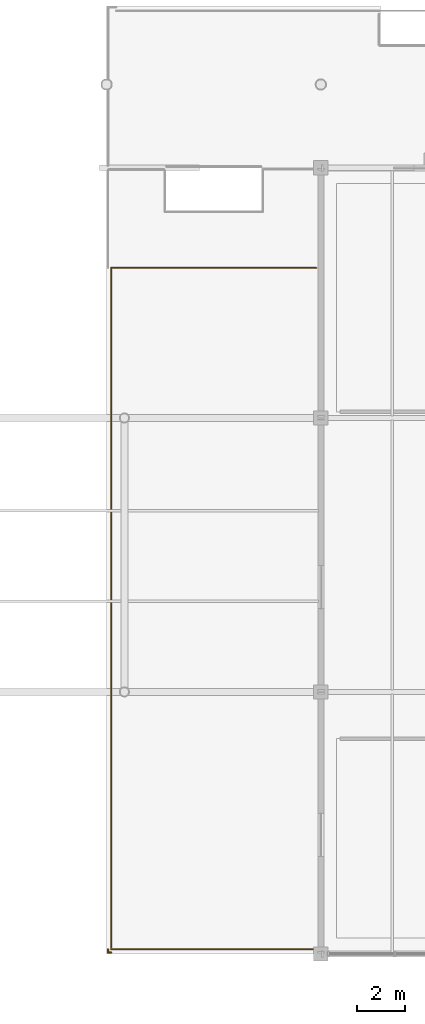
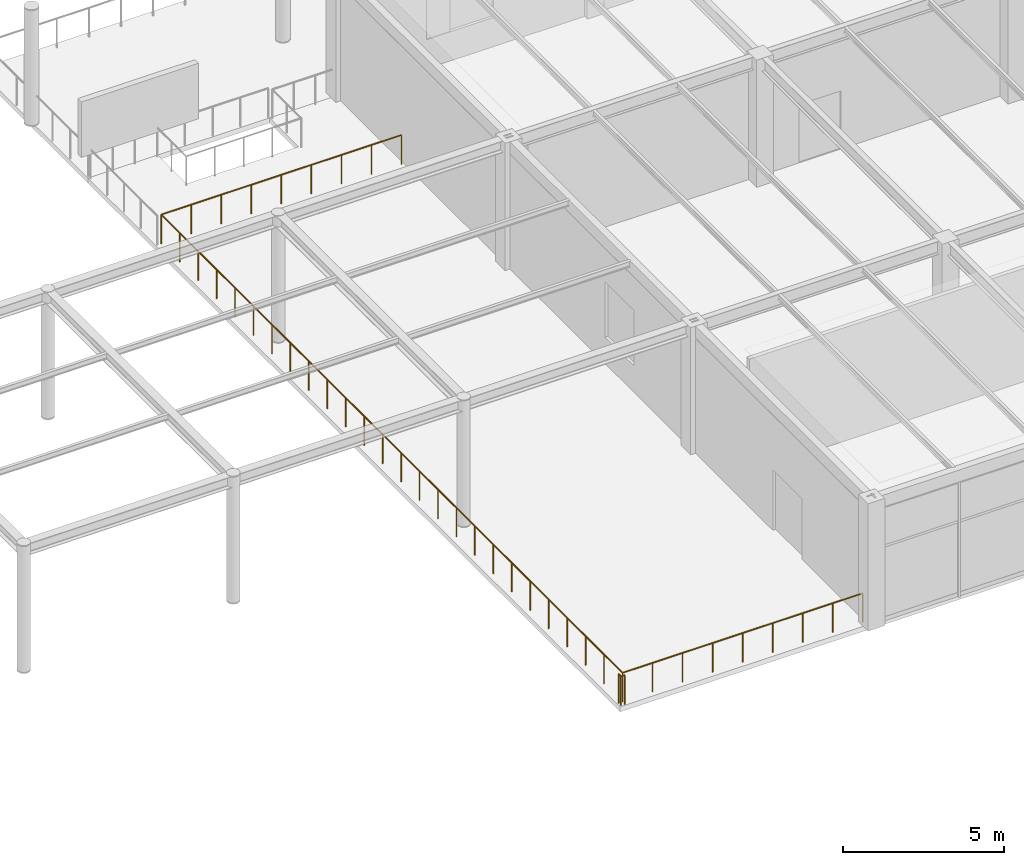
# One storey, part 132 of 143: 3 railings.
"""IFC4 building model written with IfcOpenShell, lengths in metres."""

import ifcopenshell
import ifcopenshell.guid

model = None  # the IFC model being written
_history = None  # IfcOwnerHistory: only IFC2X3 demands one
_inside = {}  # id of a spatial element -> (the spatial element, [elements in it])
_under = {}  # id of a project, library or spatial element -> (it, [spatial elements below it])
_declared = {}  # id of a project -> (the project, [libraries it declares])
_typed = {}  # id of a type object -> (the type object, [elements of that type])
_made_of = {}  # id of a material, layer set ... -> (it, [elements and type objects made of it])


def new_model(schema):
    """Start an empty IFC model of exactly this schema.

    Asked for "IFC4X3", IfcOpenShell would pick the latest addendum, in which some entities
    have other attributes; the version numbers below select the first issue.
    IFC2X3 requires an IfcOwnerHistory on every rooted entity: one is made here for all.
    """
    global model, _history
    if schema == "IFC4X3":
        model = ifcopenshell.file(schema_version=(4, 3, 0, 0))
    else:
        model = ifcopenshell.file(schema=schema)
    _inside.clear()
    _under.clear()
    _declared.clear()
    _typed.clear()
    _made_of.clear()
    _history = None
    if model.schema == "IFC2X3":
        org = make("IfcOrganization", Name="unknown")
        user = make(
            "IfcPersonAndOrganization",
            ThePerson=make("IfcPerson", FamilyName="unknown"),
            TheOrganization=org,
        )
        app = make(
            "IfcApplication",
            ApplicationDeveloper=org,
            Version="unknown",
            ApplicationFullName="unknown",
            ApplicationIdentifier="unknown",
        )
        _history = make(
            "IfcOwnerHistory",
            OwningUser=user,
            OwningApplication=app,
            ChangeAction="ADDED",
            CreationDate=0,
        )
    return model


def make(cls, **values):
    """One entity of the class cls with the attributes given. An attribute that is None is left unset."""
    return model.create_entity(
        cls, **{name: value for name, value in values.items() if value is not None}
    )


def rooted(cls, **values):
    """An entity with a GlobalId (a new one), such as an element, a storey or a relation."""
    return make(cls, GlobalId=ifcopenshell.guid.new(), OwnerHistory=_history, **values)


def si_unit(unit_type, name, prefix=None):
    """IfcSIUnit, for example si_unit("LENGTHUNIT", "METRE", prefix="MILLI")."""
    return make("IfcSIUnit", UnitType=unit_type, Prefix=prefix, Name=name)


def assignment(units):
    """IfcUnitAssignment: the units of a project."""
    return None if units is None else make("IfcUnitAssignment", Units=units)


def point(xyz):
    """IfcCartesianPoint."""
    return None if xyz is None else make("IfcCartesianPoint", Coordinates=xyz)


def direction(xyz):
    """IfcDirection."""
    return None if xyz is None else make("IfcDirection", DirectionRatios=xyz)


def frame(location, z_axis=None, x_axis=None):
    """IfcAxis2Placement3D, a coordinate frame: its origin and axes. An axis left out is left unset."""
    return make(
        "IfcAxis2Placement3D",
        Location=point(location),
        Axis=direction(z_axis),
        RefDirection=direction(x_axis),
    )


def frame_2d(location, x_axis=None):
    """IfcAxis2Placement2D, a coordinate frame in the plane: its origin and x axis."""
    return make(
        "IfcAxis2Placement2D", Location=point(location), RefDirection=direction(x_axis)
    )


def origin():
    """The frame at (0, 0, 0) with its axes left unset."""
    return frame((0.0, 0.0, 0.0))


def origin_2d():
    """The frame at (0, 0) in the plane with its x axis left unset."""
    return frame_2d((0.0, 0.0))


def place(relative_to, where):
    """IfcLocalPlacement: puts the frame where relative to a parent placement (None: the world)."""
    return make(
        "IfcLocalPlacement", PlacementRelTo=relative_to, RelativePlacement=where
    )


def context(
    kind, dimensions, precision=None, world=None, true_north=None, identifier=None
):
    """IfcGeometricRepresentationContext, for example the 3D "Model" context."""
    return make(
        "IfcGeometricRepresentationContext",
        ContextIdentifier=identifier,
        ContextType=kind,
        CoordinateSpaceDimension=dimensions,
        Precision=precision,
        WorldCoordinateSystem=world,
        TrueNorth=true_north,
    )


def subcontext(parent, identifier, kind, view, scale=None):
    """IfcGeometricRepresentationSubContext, for example "Body" below "Model"."""
    return make(
        "IfcGeometricRepresentationSubContext",
        ContextIdentifier=identifier,
        ContextType=kind,
        ParentContext=parent,
        TargetScale=scale,
        TargetView=view,
    )


def project(units=None, contexts=None):
    """IfcProject with its units and contexts."""
    return rooted(
        "IfcProject",
        Name="project",
        RepresentationContexts=contexts,
        UnitsInContext=assignment(units),
    )


def spatial(cls, under=None, at=None, **own):
    """A site, building, storey or space (cls), placed at a placement, below another one or the project."""
    s = rooted(cls, ObjectPlacement=at, **own)
    if under is not None:
        _under.setdefault(under.id(), (under, []))[1].append(s)
    return s


def profile(cls, at=None, kind="AREA", **sizes):
    """A parametric profile (cls). Its sizes go by their IFC names, for example OverallWidth=200.0."""
    return make(cls, ProfileType=kind, Position=at, **sizes)


def circle(**sizes):
    """IfcCircleProfileDef."""
    return profile("IfcCircleProfileDef", **sizes)


def extrude(swept, where, along, depth):
    """IfcExtrudedAreaSolid: the profile swept, set in the frame where, extruded along a direction by depth."""
    return make(
        "IfcExtrudedAreaSolid",
        SweptArea=swept,
        Position=where,
        ExtrudedDirection=direction(along),
        Depth=depth,
    )


def shape(context_of_items, identifier, shape_type, items):
    """IfcShapeRepresentation: the items that make up one representation, for example the "Body"."""
    return make(
        "IfcShapeRepresentation",
        ContextOfItems=context_of_items,
        RepresentationIdentifier=identifier,
        RepresentationType=shape_type,
        Items=items,
    )


def material(Name=None, Category=None):
    """IfcMaterial."""
    return make("IfcMaterial", Name=Name, Category=Category)


def made_of(thing, what):
    """Note that an element or type object is made of a material, layer set ...; save() writes the relation."""
    if what is not None:
        _made_of.setdefault(what.id(), (what, []))[1].append(thing)
    return thing


def type_object(cls, material=None, **own):
    """A type object (cls), such as IfcWallType, which elements share."""
    return made_of(rooted(cls, **own), material)


def element(
    cls,
    number,
    at=None,
    inside=None,
    cuts=None,
    type_object=None,
    material=None,
    context=None,
    identifier="Body",
    shape_type=None,
    held_by="IfcProductDefinitionShape",
    body=None,
    shapes=None,
    **own,
):
    """One element of the class cls, such as IfcWall. Its Tag is "e" and its number.

    at: its placement. inside: the storey or other place that contains it. cuts: it is an
    opening in that element (IfcRelVoidsElement). A single representation is given by context,
    identifier, shape_type and body (its items); several are given by shapes. held_by: the class
    of the entity that holds the representations. save() writes the other relations.
    """
    e = rooted(cls, Tag="e%d" % number, ObjectPlacement=at, **own)
    if body is not None:
        shapes = [shape(context, identifier, shape_type, body)]
    if shapes is not None:
        e.Representation = make(held_by, Representations=shapes)
    if inside is not None:
        _inside.setdefault(inside.id(), (inside, []))[1].append(e)
    if cuts is not None:
        rooted(
            "IfcRelVoidsElement", RelatingBuildingElement=cuts, RelatedOpeningElement=e
        )
    if type_object is not None:
        _typed.setdefault(type_object.id(), (type_object, []))[1].append(e)
    return made_of(e, material)


def aggregate(whole, parts):
    """IfcRelAggregates: a whole, such as a stair, and the parts it consists of."""
    return rooted("IfcRelAggregates", RelatingObject=whole, RelatedObjects=parts)


def save(model, path):
    """Write the relations noted so far, then the file.

    IfcRelAggregates (storeys below a building ...), IfcRelContainedInSpatialStructure (elements
    in a storey), IfcRelDefinesByType, IfcRelAssociatesMaterial and IfcRelDeclares: one each for
    every whole, place, type object, material and project.
    """
    for whole, parts in _under.values():
        aggregate(whole, parts)
    for where, things in _inside.values():
        rooted(
            "IfcRelContainedInSpatialStructure",
            RelatedElements=things,
            RelatingStructure=where,
        )
    for kind, things in _typed.values():
        rooted("IfcRelDefinesByType", RelatedObjects=things, RelatingType=kind)
    for what, things in _made_of.values():
        rooted("IfcRelAssociatesMaterial", RelatedObjects=things, RelatingMaterial=what)
    for by, libraries in _declared.values():
        rooted("IfcRelDeclares", RelatingContext=by, RelatedDefinitions=libraries)
    model.write(path)


model = new_model("IFC4")

# Units and contexts
model_context = context("Model", 3, precision=1e-05, world=origin(), true_north=direction((0.0, 1.0)))
body_context = subcontext(model_context, "Body", "Model", "MODEL_VIEW")
ifc_project = project(units=[si_unit("LENGTHUNIT", "METRE"), si_unit("AREAUNIT", "SQUARE_METRE"), si_unit("VOLUMEUNIT", "CUBIC_METRE"), si_unit("PLANEANGLEUNIT", "RADIAN"), si_unit("MASSUNIT", "GRAM", prefix="KILO")], contexts=[model_context])

# Site, building, storey
site_placement = place(None, origin())
site = spatial("IfcSite", under=ifc_project, at=site_placement, CompositionType="ELEMENT")
building_placement = place(site_placement, origin())
building = spatial("IfcBuilding", under=site, at=building_placement, Name="Marlcrest Central Station", CompositionType="ELEMENT")
storey_placement = place(building_placement, frame((0.0, 0.0, 4.800048828125)))
storey = spatial("IfcBuildingStorey", under=building, at=storey_placement, Name="L01", CompositionType="ELEMENT", Elevation=4.800048828125)

# Railings
ifc_material_1 = material(Name="Galvanized painted steel balustrade", Category="steel")
railing_type_1 = type_object("IfcRailingType", Name="GR-01", PredefinedType="GUARDRAIL", material=ifc_material_1)
railing_1_placement = place(storey_placement, frame((152.800048828125, 0.199951171875, 0.0)))
element("IfcRailing", 1, at=railing_1_placement, inside=storey, type_object=railing_type_1, Name="grd-L01-0002", PredefinedType="GUARDRAIL", context=body_context, shape_type="SweptSolid", body=[
    extrude(circle(Radius=0.02392578125, at=origin_2d()), frame((0.0, 0.0, 1.09619140625), z_axis=(-1.0, 0.0, 0.0), x_axis=(0.0, -1.0, 0.0)), (0.0, 0.0, 1.0), 8.60009765625),
    extrude(circle(Radius=0.02392578125, at=origin_2d()), frame((-8.60009765625, 0.0, 1.09619140625), z_axis=(0.0, 1.0, 0.0), x_axis=(-1.0, 0.0, 0.0)), (0.0, 0.0, 1.0), 28.60009765625),
    extrude(circle(Radius=0.02392578125, at=origin_2d()), frame((-8.60009765625, 28.60009765625, 1.09619140625), z_axis=(1.0, 0.0, 0.0), x_axis=(0.0, 1.0, 0.0)), (0.0, 0.0, 1.0), 8.60009765625),
    extrude(circle(Radius=0.02099609375, at=origin_2d()), origin(), (0.0, 0.0, 1.0), 1.072021484375),
    extrude(circle(Radius=0.02099609375, at=origin_2d()), frame((-1.074951171875, 0.0, 0.0)), (0.0, 0.0, 1.0), 1.072021484375),
    extrude(circle(Radius=0.02099609375, at=origin_2d()), frame((-2.14990234375, 0.0, 0.0)), (0.0, 0.0, 1.0), 1.072021484375),
    extrude(circle(Radius=0.02099609375, at=origin_2d()), frame((-3.22509765625, 0.0, 0.0)), (0.0, 0.0, 1.0), 1.072021484375),
    extrude(circle(Radius=0.02099609375, at=origin_2d()), frame((-4.300048828125, 0.0, 0.0)), (0.0, 0.0, 1.0), 1.072021484375),
    extrude(circle(Radius=0.02099609375, at=origin_2d()), frame((-5.375, 0.0, 0.0)), (0.0, 0.0, 1.0), 1.072021484375),
    extrude(circle(Radius=0.02099609375, at=origin_2d()), frame((-6.4501953125, 0.0, 0.0)), (0.0, 0.0, 1.0), 1.072021484375),
    extrude(circle(Radius=0.02099609375, at=origin_2d()), frame((-7.525146484375, 0.0, 0.0)), (0.0, 0.0, 1.0), 1.072021484375),
    extrude(circle(Radius=0.02099609375, at=origin_2d()), frame((-8.60009765625, 0.0, 0.0)), (0.0, 0.0, 1.0), 1.072021484375),
    extrude(circle(Radius=0.02099609375, at=origin_2d()), frame((-8.60009765625, 1.14404296875, 0.0)), (0.0, 0.0, 1.0), 1.072021484375),
    extrude(circle(Radius=0.02099609375, at=origin_2d()), frame((-8.60009765625, 2.2880859375, 0.0)), (0.0, 0.0, 1.0), 1.072021484375),
    extrude(circle(Radius=0.02099609375, at=origin_2d()), frame((-8.60009765625, 3.43212890625, 0.0)), (0.0, 0.0, 1.0), 1.072021484375),
    extrude(circle(Radius=0.02099609375, at=origin_2d()), frame((-8.60009765625, 4.575927734375, 0.0)), (0.0, 0.0, 1.0), 1.072021484375),
    extrude(circle(Radius=0.02099609375, at=origin_2d()), frame((-8.60009765625, 5.719970703125, 0.0)), (0.0, 0.0, 1.0), 1.072021484375),
    extrude(circle(Radius=0.02099609375, at=origin_2d()), frame((-8.60009765625, 6.864013671875, 0.0)), (0.0, 0.0, 1.0), 1.072021484375),
    extrude(circle(Radius=0.02099609375, at=origin_2d()), frame((-8.60009765625, 8.008056640625, 0.0)), (0.0, 0.0, 1.0), 1.072021484375),
    extrude(circle(Radius=0.02099609375, at=origin_2d()), frame((-8.60009765625, 9.152099609375, 0.0)), (0.0, 0.0, 1.0), 1.072021484375),
    extrude(circle(Radius=0.02099609375, at=origin_2d()), frame((-8.60009765625, 10.296142578125, 0.0)), (0.0, 0.0, 1.0), 1.072021484375),
    extrude(circle(Radius=0.02099609375, at=origin_2d()), frame((-8.60009765625, 11.43994140625, 0.0)), (0.0, 0.0, 1.0), 1.072021484375),
    extrude(circle(Radius=0.02099609375, at=origin_2d()), frame((-8.60009765625, 12.583984375, 0.0)), (0.0, 0.0, 1.0), 1.072021484375),
    extrude(circle(Radius=0.02099609375, at=origin_2d()), frame((-8.60009765625, 13.72802734375, 0.0)), (0.0, 0.0, 1.0), 1.072021484375),
    extrude(circle(Radius=0.02099609375, at=origin_2d()), frame((-8.60009765625, 14.8720703125, 0.0)), (0.0, 0.0, 1.0), 1.072021484375),
    extrude(circle(Radius=0.02099609375, at=origin_2d()), frame((-8.60009765625, 16.01611328125, 0.0)), (0.0, 0.0, 1.0), 1.072021484375),
    extrude(circle(Radius=0.02099609375, at=origin_2d()), frame((-8.60009765625, 17.16015625, 0.0)), (0.0, 0.0, 1.0), 1.072021484375),
    extrude(circle(Radius=0.02099609375, at=origin_2d()), frame((-8.60009765625, 18.303955078125, 0.0)), (0.0, 0.0, 1.0), 1.072021484375),
    extrude(circle(Radius=0.02099609375, at=origin_2d()), frame((-8.60009765625, 19.447998046875, 0.0)), (0.0, 0.0, 1.0), 1.072021484375),
    extrude(circle(Radius=0.02099609375, at=origin_2d()), frame((-8.60009765625, 20.592041015625, 0.0)), (0.0, 0.0, 1.0), 1.072021484375),
    extrude(circle(Radius=0.02099609375, at=origin_2d()), frame((-8.60009765625, 21.736083984375, 0.0)), (0.0, 0.0, 1.0), 1.072021484375),
    extrude(circle(Radius=0.02099609375, at=origin_2d()), frame((-8.60009765625, 22.880126953125, 0.0)), (0.0, 0.0, 1.0), 1.072021484375),
    extrude(circle(Radius=0.02099609375, at=origin_2d()), frame((-8.60009765625, 24.024169921875, 0.0)), (0.0, 0.0, 1.0), 1.072021484375),
    extrude(circle(Radius=0.02099609375, at=origin_2d()), frame((-8.60009765625, 25.16796875, 0.0)), (0.0, 0.0, 1.0), 1.072021484375),
    extrude(circle(Radius=0.02099609375, at=origin_2d()), frame((-8.60009765625, 26.31201171875, 0.0)), (0.0, 0.0, 1.0), 1.072021484375),
    extrude(circle(Radius=0.02099609375, at=origin_2d()), frame((-8.60009765625, 27.4560546875, 0.0)), (0.0, 0.0, 1.0), 1.072021484375),
    extrude(circle(Radius=0.02099609375, at=origin_2d()), frame((-8.60009765625, 28.60009765625, 0.0)), (0.0, 0.0, 1.0), 1.072021484375),
    extrude(circle(Radius=0.02099609375, at=origin_2d()), frame((-7.525146484375, 28.60009765625, 0.0)), (0.0, 0.0, 1.0), 1.072021484375),
    extrude(circle(Radius=0.02099609375, at=origin_2d()), frame((-6.4501953125, 28.60009765625, 0.0)), (0.0, 0.0, 1.0), 1.072021484375),
    extrude(circle(Radius=0.02099609375, at=origin_2d()), frame((-5.375, 28.60009765625, 0.0)), (0.0, 0.0, 1.0), 1.072021484375),
    extrude(circle(Radius=0.02099609375, at=origin_2d()), frame((-4.300048828125, 28.60009765625, 0.0)), (0.0, 0.0, 1.0), 1.072021484375),
    extrude(circle(Radius=0.02099609375, at=origin_2d()), frame((-3.22509765625, 28.60009765625, 0.0)), (0.0, 0.0, 1.0), 1.072021484375),
    extrude(circle(Radius=0.02099609375, at=origin_2d()), frame((-2.14990234375, 28.60009765625, 0.0)), (0.0, 0.0, 1.0), 1.072021484375),
    extrude(circle(Radius=0.02099609375, at=origin_2d()), frame((-1.074951171875, 28.60009765625, 0.0)), (0.0, 0.0, 1.0), 1.072021484375),
    extrude(circle(Radius=0.02099609375, at=origin_2d()), frame((0.0, 28.60009765625, 0.0)), (0.0, 0.0, 1.0), 1.072021484375),
])
ifc_material_2 = material(Name="Stainless steel and laminated glass concourse balustrade", Category="steel")
railing_type_2 = type_object("IfcRailingType", Name="GR-02", PredefinedType="BALUSTRADE", material=ifc_material_2)
railing_2_placement = place(storey_placement, frame((144.06005859375, 0.06005859375, 0.0)))
element("IfcRailing", 2, at=railing_2_placement, inside=storey, type_object=railing_type_2, Name="hr-L01-00336", PredefinedType="BALUSTRADE", context=body_context, shape_type="SweptSolid", body=[
    extrude(circle(Radius=0.02392578125, at=origin_2d()), frame((0.0, 0.0, 1.09619140625), z_axis=(0.0, 1.0, 0.0), x_axis=(-1.0, 0.0, 0.0)), (0.0, 0.0, 1.0), 0.139892578125),
    extrude(circle(Radius=0.02099609375, at=origin_2d()), origin(), (0.0, 0.0, 1.0), 1.072021484375),
    extrude(circle(Radius=0.02099609375, at=origin_2d()), frame((0.0, 0.139892578125, 0.0)), (0.0, 0.0, 1.0), 1.072021484375),
])
railing_3_placement = place(storey_placement, frame((144.199951171875, 0.06005859375, 0.0)))
element("IfcRailing", 3, at=railing_3_placement, inside=storey, type_object=railing_type_2, Name="hr-L01-00344", PredefinedType="BALUSTRADE", context=body_context, shape_type="SweptSolid", body=[
    extrude(circle(Radius=0.02392578125, at=origin_2d()), frame((0.0, 0.0, 1.09619140625), z_axis=(-1.0, 0.0, 0.0), x_axis=(0.0, -1.0, 0.0)), (0.0, 0.0, 1.0), 0.139892578125),
    extrude(circle(Radius=0.02099609375, at=origin_2d()), origin(), (0.0, 0.0, 1.0), 1.072021484375),
    extrude(circle(Radius=0.02099609375, at=origin_2d()), frame((-0.139892578125, 0.0, 0.0)), (0.0, 0.0, 1.0), 1.072021484375),
])

save(model, "model.ifc")
